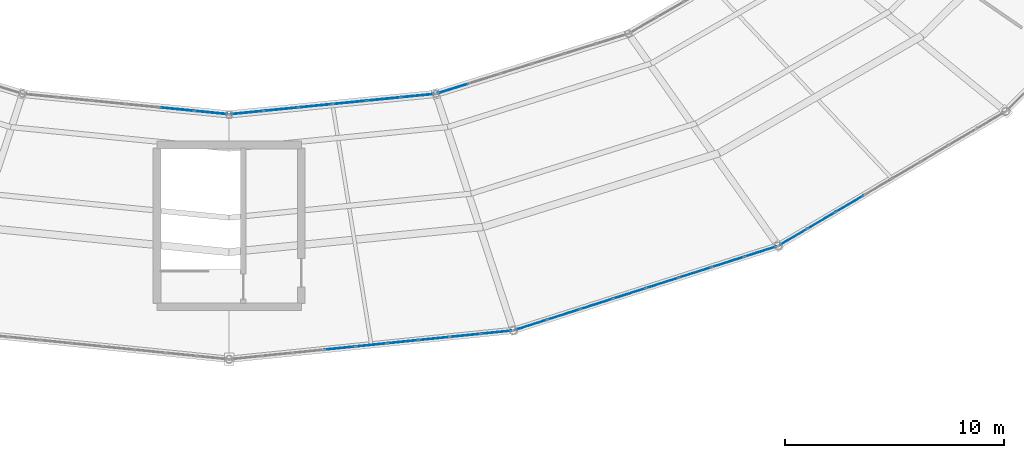
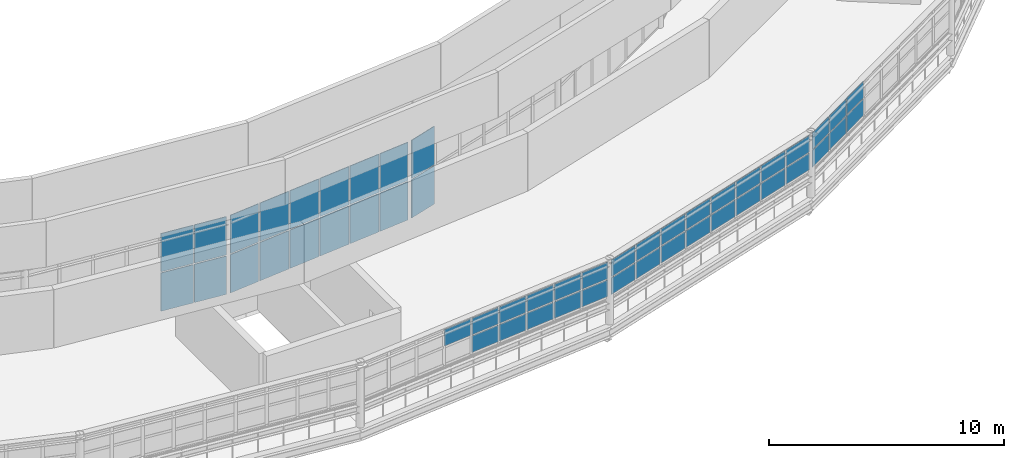
# One storey, part 78 of 123: 51 plates, 6 elements without a shape of their own.
"""IFC4 building model written with IfcOpenShell, lengths in metres."""

from ifc_helpers import new_model, si_unit, direction, frame, origin, origin_2d, place, context, subcontext, project, spatial, rectangle, extrude, material, layer, layer_set, type_object, element, aggregate, save


model = new_model("IFC4")

# Units and contexts
model_context = context("Model", 3, precision=1e-05, world=origin(), true_north=direction((0.0, 1.0)))
body_context = subcontext(model_context, "Body", "Model", "MODEL_VIEW")
ifc_project = project(units=[si_unit("LENGTHUNIT", "METRE"), si_unit("AREAUNIT", "SQUARE_METRE"), si_unit("VOLUMEUNIT", "CUBIC_METRE"), si_unit("PLANEANGLEUNIT", "RADIAN"), si_unit("MASSUNIT", "GRAM", prefix="KILO")], contexts=[model_context])

# Site, building, storey
site_placement = place(None, origin())
site = spatial("IfcSite", under=ifc_project, at=site_placement, CompositionType="ELEMENT")
building_placement = place(site_placement, origin())
building = spatial("IfcBuilding", under=site, at=building_placement, Name="Kildeholm Park Wholesale Market", CompositionType="ELEMENT")
storey_placement = place(building_placement, frame((0.0, 0.0, 9.60009765625)))
storey = spatial("IfcBuildingStorey", under=building, at=storey_placement, Name="L02", CompositionType="ELEMENT", Elevation=9.60009765625)

# Curtain wall, plates
ifc_material_1 = material(Name="Anodised aluminium and low-E double-glazed glass", Category="aluminium")
curtain_wall_type = type_object("IfcCurtainWallType", Name="Clerestory daylight stick curtain wall CW-02", PredefinedType="NOTDEFINED", material=ifc_material_1)
curtain_wall_1_placement = place(storey_placement, origin())
curtain_wall_1 = element("IfcCurtainWall", 1, at=curtain_wall_1_placement, inside=storey, type_object=curtain_wall_type, Name="Curtain wall CW-V1-IN2-17 CW-0088", PredefinedType="NOTDEFINED")
ifc_material_2 = material(Name="Triple-glazed solar-control glass", Category="glass")
ifc_layer_1 = layer(ifc_material_2, 0.035888671875)
ifc_layer_set_1 = layer_set([ifc_layer_1], Name="Triple-glazed solar-control glass")
plate_type_1 = type_object("IfcPlateType", Name="Curtain-wall panel CWP-2 36 mm", PredefinedType="CURTAIN_PANEL", material=ifc_layer_set_1)
plate_1_placement = place(storey_placement, frame((96.617919921875, 62.232177734375, 0.06005859375), z_axis=(0.0, 0.0, 1.0), x_axis=(0.995118887444, -0.098683331174, 0.0)))
plate_1 = element("IfcPlate", 2, at=plate_1_placement, type_object=plate_type_1, Name="CW-02 panel 5.1 PLT-1338", PredefinedType="CURTAIN_PANEL", context=body_context, shape_type="SweptSolid", body=[
    extrude(rectangle(XDim=1.509033203125, YDim=0.035888671875, at=origin_2d()), origin(), (0.0, 0.0, 1.0), 1.985107421875),
])
plate_2_placement = place(storey_placement, frame((96.617919921875, 62.232177734375, 2.10498046875), z_axis=(0.0, 0.0, 1.0), x_axis=(0.995118887444, -0.098683331174, 0.0)))
plate_2 = element("IfcPlate", 3, at=plate_2_placement, type_object=plate_type_1, Name="CW-02 panel 5.2 PLT-1339", PredefinedType="CURTAIN_PANEL", context=body_context, shape_type="SweptSolid", body=[
    extrude(rectangle(XDim=1.509033203125, YDim=0.035888671875, at=origin_2d()), origin(), (0.0, 0.0, 1.0), 1.985107421875),
])
plate_3_placement = place(storey_placement, frame((98.164306640625, 62.078857421875, 0.06005859375), z_axis=(0.0, 0.0, 1.0), x_axis=(0.995118887444, -0.098683331174, 0.0)))
plate_3 = element("IfcPlate", 4, at=plate_3_placement, type_object=plate_type_1, Name="CW-02 panel 6.1 PLT-1340", PredefinedType="CURTAIN_PANEL", context=body_context, shape_type="SweptSolid", body=[
    extrude(rectangle(XDim=1.47900390625, YDim=0.035888671875, at=origin_2d()), origin(), (0.0, 0.0, 1.0), 1.985107421875),
])
plate_4_placement = place(storey_placement, frame((98.164306640625, 62.078857421875, 2.10498046875), z_axis=(0.0, 0.0, 1.0), x_axis=(0.995118887444, -0.098683331174, 0.0)))
plate_4 = element("IfcPlate", 5, at=plate_4_placement, type_object=plate_type_1, Name="CW-02 panel 6.2 PLT-1341", PredefinedType="CURTAIN_PANEL", context=body_context, shape_type="SweptSolid", body=[
    extrude(rectangle(XDim=1.47900390625, YDim=0.035888671875, at=origin_2d()), origin(), (0.0, 0.0, 1.0), 1.985107421875),
])
aggregate(curtain_wall_1, [plate_1, plate_2, plate_3, plate_4])

curtain_wall_2_placement = place(storey_placement, origin())
curtain_wall_2 = element("IfcCurtainWall", 6, at=curtain_wall_2_placement, inside=storey, type_object=curtain_wall_type, Name="Curtain wall CW-V1-IN2-18 CW-0093", PredefinedType="NOTDEFINED")
plate_5_placement = place(storey_placement, frame((99.835693359375, 62.078857421875, 0.06005859375), z_axis=(0.0, 0.0, 1.0), x_axis=(0.995118887444, 0.098683331174, 0.0)))
plate_5 = element("IfcPlate", 7, at=plate_5_placement, type_object=plate_type_1, Name="CW-02 panel 1.1 PLT-1404", PredefinedType="CURTAIN_PANEL", context=body_context, shape_type="SweptSolid", body=[
    extrude(rectangle(XDim=1.47900390625, YDim=0.035888671875, at=origin_2d()), origin(), (0.0, 0.0, 1.0), 1.985107421875),
])
plate_6_placement = place(storey_placement, frame((99.835693359375, 62.078857421875, 2.10498046875), z_axis=(0.0, 0.0, 1.0), x_axis=(0.995118887444, 0.098683331174, 0.0)))
plate_6 = element("IfcPlate", 8, at=plate_6_placement, type_object=plate_type_1, Name="CW-02 panel 1.2 PLT-1405", PredefinedType="CURTAIN_PANEL", context=body_context, shape_type="SweptSolid", body=[
    extrude(rectangle(XDim=1.47900390625, YDim=0.035888671875, at=origin_2d()), origin(), (0.0, 0.0, 1.0), 1.985107421875),
])
plate_7_placement = place(storey_placement, frame((101.382080078125, 62.232177734375, 0.06005859375), z_axis=(0.0, 0.0, 1.0), x_axis=(0.995118887444, 0.098683331174, 0.0)))
plate_7 = element("IfcPlate", 9, at=plate_7_placement, type_object=plate_type_1, Name="CW-02 panel 2.1 PLT-1406", PredefinedType="CURTAIN_PANEL", context=body_context, shape_type="SweptSolid", body=[
    extrude(rectangle(XDim=1.509033203125, YDim=0.035888671875, at=origin_2d()), origin(), (0.0, 0.0, 1.0), 1.985107421875),
])
plate_8_placement = place(storey_placement, frame((101.382080078125, 62.232177734375, 2.10498046875), z_axis=(0.0, 0.0, 1.0), x_axis=(0.995118887444, 0.098683331174, 0.0)))
plate_8 = element("IfcPlate", 10, at=plate_8_placement, type_object=plate_type_1, Name="CW-02 panel 2.2 PLT-1407", PredefinedType="CURTAIN_PANEL", context=body_context, shape_type="SweptSolid", body=[
    extrude(rectangle(XDim=1.509033203125, YDim=0.035888671875, at=origin_2d()), origin(), (0.0, 0.0, 1.0), 1.985107421875),
])
plate_9_placement = place(storey_placement, frame((102.943359375, 62.386962890625, 0.06005859375), z_axis=(0.0, 0.0, 1.0), x_axis=(0.995118887444, 0.098683331174, 0.0)))
plate_9 = element("IfcPlate", 11, at=plate_9_placement, type_object=plate_type_1, Name="CW-02 panel 3.1 PLT-1408", PredefinedType="CURTAIN_PANEL", context=body_context, shape_type="SweptSolid", body=[
    extrude(rectangle(XDim=1.509033203125, YDim=0.035888671875, at=origin_2d()), origin(), (0.0, 0.0, 1.0), 1.985107421875),
])
plate_10_placement = place(storey_placement, frame((102.943359375, 62.386962890625, 2.10498046875), z_axis=(0.0, 0.0, 1.0), x_axis=(0.995118887444, 0.098683331174, 0.0)))
plate_10 = element("IfcPlate", 12, at=plate_10_placement, type_object=plate_type_1, Name="CW-02 panel 3.2 PLT-1409", PredefinedType="CURTAIN_PANEL", context=body_context, shape_type="SweptSolid", body=[
    extrude(rectangle(XDim=1.509033203125, YDim=0.035888671875, at=origin_2d()), origin(), (0.0, 0.0, 1.0), 1.985107421875),
])
plate_11_placement = place(storey_placement, frame((104.504638671875, 62.5419921875, 0.06005859375), z_axis=(0.0, 0.0, 1.0), x_axis=(0.995118887444, 0.098683331174, 0.0)))
plate_11 = element("IfcPlate", 13, at=plate_11_placement, type_object=plate_type_1, Name="CW-02 panel 4.1 PLT-1410", PredefinedType="CURTAIN_PANEL", context=body_context, shape_type="SweptSolid", body=[
    extrude(rectangle(XDim=1.509033203125, YDim=0.035888671875, at=origin_2d()), origin(), (0.0, 0.0, 1.0), 1.985107421875),
])
plate_12_placement = place(storey_placement, frame((104.504638671875, 62.5419921875, 2.10498046875), z_axis=(0.0, 0.0, 1.0), x_axis=(0.995118887444, 0.098683331174, 0.0)))
plate_12 = element("IfcPlate", 14, at=plate_12_placement, type_object=plate_type_1, Name="CW-02 panel 4.2 PLT-1411", PredefinedType="CURTAIN_PANEL", context=body_context, shape_type="SweptSolid", body=[
    extrude(rectangle(XDim=1.509033203125, YDim=0.035888671875, at=origin_2d()), origin(), (0.0, 0.0, 1.0), 1.985107421875),
])
plate_13_placement = place(storey_placement, frame((106.06591796875, 62.69677734375, 0.06005859375), z_axis=(0.0, 0.0, 1.0), x_axis=(0.995118887444, 0.098683331174, 0.0)))
plate_13 = element("IfcPlate", 15, at=plate_13_placement, type_object=plate_type_1, Name="CW-02 panel 5.1 PLT-1412", PredefinedType="CURTAIN_PANEL", context=body_context, shape_type="SweptSolid", body=[
    extrude(rectangle(XDim=1.509033203125, YDim=0.035888671875, at=origin_2d()), origin(), (0.0, 0.0, 1.0), 1.985107421875),
])
plate_14_placement = place(storey_placement, frame((106.06591796875, 62.69677734375, 2.10498046875), z_axis=(0.0, 0.0, 1.0), x_axis=(0.995118887444, 0.098683331174, 0.0)))
plate_14 = element("IfcPlate", 16, at=plate_14_placement, type_object=plate_type_1, Name="CW-02 panel 5.2 PLT-1413", PredefinedType="CURTAIN_PANEL", context=body_context, shape_type="SweptSolid", body=[
    extrude(rectangle(XDim=1.509033203125, YDim=0.035888671875, at=origin_2d()), origin(), (0.0, 0.0, 1.0), 1.985107421875),
])
plate_15_placement = place(storey_placement, frame((107.6123046875, 62.85009765625, 0.06005859375), z_axis=(0.0, 0.0, 1.0), x_axis=(0.995118887444, 0.098683331174, 0.0)))
plate_15 = element("IfcPlate", 17, at=plate_15_placement, type_object=plate_type_1, Name="CW-02 panel 6.1 PLT-1414", PredefinedType="CURTAIN_PANEL", context=body_context, shape_type="SweptSolid", body=[
    extrude(rectangle(XDim=1.47900390625, YDim=0.035888671875, at=origin_2d()), origin(), (0.0, 0.0, 1.0), 1.985107421875),
])
plate_16_placement = place(storey_placement, frame((107.6123046875, 62.85009765625, 2.10498046875), z_axis=(0.0, 0.0, 1.0), x_axis=(0.995118887444, 0.098683331174, 0.0)))
plate_16 = element("IfcPlate", 18, at=plate_16_placement, type_object=plate_type_1, Name="CW-02 panel 6.2 PLT-1415", PredefinedType="CURTAIN_PANEL", context=body_context, shape_type="SweptSolid", body=[
    extrude(rectangle(XDim=1.47900390625, YDim=0.035888671875, at=origin_2d()), origin(), (0.0, 0.0, 1.0), 1.985107421875),
])
aggregate(curtain_wall_2, [plate_5, plate_6, plate_7, plate_8, plate_9, plate_10, plate_11, plate_12, plate_13, plate_14, plate_15, plate_16])

curtain_wall_3_placement = place(storey_placement, origin())
curtain_wall_3 = element("IfcCurtainWall", 19, at=curtain_wall_3_placement, inside=storey, type_object=curtain_wall_type, Name="Curtain wall CW-V1-IN2-19 CW-0098", PredefinedType="NOTDEFINED")
plate_17_placement = place(storey_placement, frame((109.228515625, 63.176513671875, 0.06005859375), z_axis=(0.0, 0.0, 1.0), x_axis=(0.954579186683, 0.297957339818, 0.0)))
plate_17 = element("IfcPlate", 20, at=plate_17_placement, type_object=plate_type_1, Name="CW-02 panel 1.1 PLT-1476", PredefinedType="CURTAIN_PANEL", context=body_context, shape_type="SweptSolid", body=[
    extrude(rectangle(XDim=1.43359375, YDim=0.035888671875, at=origin_2d()), origin(), (0.0, 0.0, 1.0), 1.985107421875),
])
plate_18_placement = place(storey_placement, frame((109.228515625, 63.176513671875, 2.10498046875), z_axis=(0.0, 0.0, 1.0), x_axis=(0.954579186683, 0.297957339818, 0.0)))
plate_18 = element("IfcPlate", 21, at=plate_18_placement, type_object=plate_type_1, Name="CW-02 panel 1.2 PLT-1477", PredefinedType="CURTAIN_PANEL", context=body_context, shape_type="SweptSolid", body=[
    extrude(rectangle(XDim=1.43359375, YDim=0.035888671875, at=origin_2d()), origin(), (0.0, 0.0, 1.0), 1.985107421875),
])
aggregate(curtain_wall_3, [plate_17, plate_18])

curtain_wall_4_placement = place(storey_placement, origin())
curtain_wall_4 = element("IfcCurtainWall", 22, at=curtain_wall_4_placement, inside=storey, type_object=curtain_wall_type, Name="Curtain wall CW-V1-CL-18 CW-0090", PredefinedType="NOTDEFINED")
ifc_material_3 = material(Name="Fritted solar-control clerestory glass", Category="glass")
ifc_layer_2 = layer(ifc_material_3, 0.031982421875)
ifc_layer_set_2 = layer_set([ifc_layer_2], Name="Fritted solar-control clerestory glass")
plate_type_2 = type_object("IfcPlateType", Name="Curtain-wall panel CWP-4 32 mm", PredefinedType="CURTAIN_PANEL", material=ifc_layer_set_2)
plate_19_placement = place(storey_placement, frame((104.06201171875, 51.309814453125, 2.330078125), z_axis=(0.0, 0.0, 1.0), x_axis=(0.994886564926, 0.100998628351, 0.0)))
plate_19 = element("IfcPlate", 23, at=plate_19_placement, type_object=plate_type_2, Name="CW-02 panel 4.2 PLT-1369", PredefinedType="CURTAIN_PANEL", context=body_context, shape_type="SweptSolid", body=[
    extrude(rectangle(XDim=1.38232421875, YDim=0.031982421875, at=origin_2d()), origin(), (0.0, 0.0, 1.0), 0.860107421875),
])
plate_20_placement = place(storey_placement, frame((105.4970703125, 51.45556640625, 1.40966796875), z_axis=(0.0, 0.0, 1.0), x_axis=(0.994886564926, 0.100998628351, 0.0)))
plate_20 = element("IfcPlate", 24, at=plate_20_placement, type_object=plate_type_2, Name="CW-02 panel 5.1 PLT-1370", PredefinedType="CURTAIN_PANEL", context=body_context, shape_type="SweptSolid", body=[
    extrude(rectangle(XDim=1.38232421875, YDim=0.031982421875, at=origin_2d()), origin(), (0.0, 0.0, 1.0), 0.860107421875),
])
plate_21_placement = place(storey_placement, frame((105.4970703125, 51.45556640625, 2.330078125), z_axis=(0.0, 0.0, 1.0), x_axis=(0.994886564926, 0.100998628351, 0.0)))
plate_21 = element("IfcPlate", 25, at=plate_21_placement, type_object=plate_type_2, Name="CW-02 panel 5.2 PLT-1371", PredefinedType="CURTAIN_PANEL", context=body_context, shape_type="SweptSolid", body=[
    extrude(rectangle(XDim=1.38232421875, YDim=0.031982421875, at=origin_2d()), origin(), (0.0, 0.0, 1.0), 0.860107421875),
])
plate_22_placement = place(storey_placement, frame((106.931884765625, 51.60107421875, 1.40966796875), z_axis=(0.0, 0.0, 1.0), x_axis=(0.994886564926, 0.100998628351, 0.0)))
plate_22 = element("IfcPlate", 26, at=plate_22_placement, type_object=plate_type_2, Name="CW-02 panel 6.1 PLT-1372", PredefinedType="CURTAIN_PANEL", context=body_context, shape_type="SweptSolid", body=[
    extrude(rectangle(XDim=1.38232421875, YDim=0.031982421875, at=origin_2d()), origin(), (0.0, 0.0, 1.0), 0.860107421875),
])
plate_23_placement = place(storey_placement, frame((106.931884765625, 51.60107421875, 2.330078125), z_axis=(0.0, 0.0, 1.0), x_axis=(0.994886564926, 0.100998628351, 0.0)))
plate_23 = element("IfcPlate", 27, at=plate_23_placement, type_object=plate_type_2, Name="CW-02 panel 6.2 PLT-1373", PredefinedType="CURTAIN_PANEL", context=body_context, shape_type="SweptSolid", body=[
    extrude(rectangle(XDim=1.38232421875, YDim=0.031982421875, at=origin_2d()), origin(), (0.0, 0.0, 1.0), 0.860107421875),
])
plate_24_placement = place(storey_placement, frame((108.36669921875, 51.746826171875, 1.40966796875), z_axis=(0.0, 0.0, 1.0), x_axis=(0.994886564926, 0.100998628351, 0.0)))
plate_24 = element("IfcPlate", 28, at=plate_24_placement, type_object=plate_type_2, Name="CW-02 panel 7.1 PLT-1374", PredefinedType="CURTAIN_PANEL", context=body_context, shape_type="SweptSolid", body=[
    extrude(rectangle(XDim=1.38232421875, YDim=0.031982421875, at=origin_2d()), origin(), (0.0, 0.0, 1.0), 0.860107421875),
])
plate_25_placement = place(storey_placement, frame((108.36669921875, 51.746826171875, 2.330078125), z_axis=(0.0, 0.0, 1.0), x_axis=(0.994886564926, 0.100998628351, 0.0)))
plate_25 = element("IfcPlate", 29, at=plate_25_placement, type_object=plate_type_2, Name="CW-02 panel 7.2 PLT-1375", PredefinedType="CURTAIN_PANEL", context=body_context, shape_type="SweptSolid", body=[
    extrude(rectangle(XDim=1.38232421875, YDim=0.031982421875, at=origin_2d()), origin(), (0.0, 0.0, 1.0), 0.860107421875),
])
plate_26_placement = place(storey_placement, frame((109.8017578125, 51.892578125, 1.40966796875), z_axis=(0.0, 0.0, 1.0), x_axis=(0.994886564926, 0.100998628351, 0.0)))
plate_26 = element("IfcPlate", 30, at=plate_26_placement, type_object=plate_type_2, Name="CW-02 panel 8.1 PLT-1376", PredefinedType="CURTAIN_PANEL", context=body_context, shape_type="SweptSolid", body=[
    extrude(rectangle(XDim=1.38232421875, YDim=0.031982421875, at=origin_2d()), origin(), (0.0, 0.0, 1.0), 0.860107421875),
])
plate_27_placement = place(storey_placement, frame((109.8017578125, 51.892578125, 2.330078125), z_axis=(0.0, 0.0, 1.0), x_axis=(0.994886564926, 0.100998628351, 0.0)))
plate_27 = element("IfcPlate", 31, at=plate_27_placement, type_object=plate_type_2, Name="CW-02 panel 8.2 PLT-1377", PredefinedType="CURTAIN_PANEL", context=body_context, shape_type="SweptSolid", body=[
    extrude(rectangle(XDim=1.38232421875, YDim=0.031982421875, at=origin_2d()), origin(), (0.0, 0.0, 1.0), 0.860107421875),
])
plate_28_placement = place(storey_placement, frame((111.2216796875, 52.03662109375, 1.40966796875), z_axis=(0.0, 0.0, 1.0), x_axis=(0.994886564926, 0.100998628351, 0.0)))
plate_28 = element("IfcPlate", 32, at=plate_28_placement, type_object=plate_type_2, Name="CW-02 panel 9.1 PLT-1378", PredefinedType="CURTAIN_PANEL", context=body_context, shape_type="SweptSolid", body=[
    extrude(rectangle(XDim=1.352294921875, YDim=0.031982421875, at=origin_2d()), origin(), (0.0, 0.0, 1.0), 0.860107421875),
])
plate_29_placement = place(storey_placement, frame((111.2216796875, 52.03662109375, 2.330078125), z_axis=(0.0, 0.0, 1.0), x_axis=(0.994886564926, 0.100998628351, 0.0)))
plate_29 = element("IfcPlate", 33, at=plate_29_placement, type_object=plate_type_2, Name="CW-02 panel 9.2 PLT-1379", PredefinedType="CURTAIN_PANEL", context=body_context, shape_type="SweptSolid", body=[
    extrude(rectangle(XDim=1.352294921875, YDim=0.031982421875, at=origin_2d()), origin(), (0.0, 0.0, 1.0), 0.860107421875),
])
aggregate(curtain_wall_4, [plate_19, plate_20, plate_21, plate_22, plate_23, plate_24, plate_25, plate_26, plate_27, plate_28, plate_29])

curtain_wall_5_placement = place(storey_placement, origin())
curtain_wall_5 = element("IfcCurtainWall", 34, at=curtain_wall_5_placement, inside=storey, type_object=curtain_wall_type, Name="Curtain wall CW-V1-CL-19 CW-0095", PredefinedType="NOTDEFINED")
plate_30_placement = place(storey_placement, frame((112.79931640625, 52.37158203125, 1.40966796875), z_axis=(0.0, 0.0, 1.0), x_axis=(0.952606009241, 0.304206822997, 0.0)))
plate_30 = element("IfcPlate", 35, at=plate_30_placement, type_object=plate_type_2, Name="CW-02 panel 1.1 PLT-1436", PredefinedType="CURTAIN_PANEL", context=body_context, shape_type="SweptSolid", body=[
    extrude(rectangle(XDim=1.48876953125, YDim=0.031982421875, at=origin_2d()), origin(), (0.0, 0.0, 1.0), 0.860107421875),
])
plate_31_placement = place(storey_placement, frame((112.79931640625, 52.37158203125, 2.330078125), z_axis=(0.0, 0.0, 1.0), x_axis=(0.952606009241, 0.304206822997, 0.0)))
plate_31 = element("IfcPlate", 36, at=plate_31_placement, type_object=plate_type_2, Name="CW-02 panel 1.2 PLT-1437", PredefinedType="CURTAIN_PANEL", context=body_context, shape_type="SweptSolid", body=[
    extrude(rectangle(XDim=1.48876953125, YDim=0.031982421875, at=origin_2d()), origin(), (0.0, 0.0, 1.0), 0.860107421875),
])
plate_32_placement = place(storey_placement, frame((114.288818359375, 52.847412109375, 1.40966796875), z_axis=(0.0, 0.0, 1.0), x_axis=(0.952606009241, 0.304206822997, 0.0)))
plate_32 = element("IfcPlate", 37, at=plate_32_placement, type_object=plate_type_2, Name="CW-02 panel 2.1 PLT-1438", PredefinedType="CURTAIN_PANEL", context=body_context, shape_type="SweptSolid", body=[
    extrude(rectangle(XDim=1.518798828125, YDim=0.031982421875, at=origin_2d()), origin(), (0.0, 0.0, 1.0), 0.860107421875),
])
plate_33_placement = place(storey_placement, frame((114.288818359375, 52.847412109375, 2.330078125), z_axis=(0.0, 0.0, 1.0), x_axis=(0.952606009241, 0.304206822997, 0.0)))
plate_33 = element("IfcPlate", 38, at=plate_33_placement, type_object=plate_type_2, Name="CW-02 panel 2.2 PLT-1439", PredefinedType="CURTAIN_PANEL", context=body_context, shape_type="SweptSolid", body=[
    extrude(rectangle(XDim=1.518798828125, YDim=0.031982421875, at=origin_2d()), origin(), (0.0, 0.0, 1.0), 0.860107421875),
])
plate_34_placement = place(storey_placement, frame((115.792724609375, 53.32763671875, 1.40966796875), z_axis=(0.0, 0.0, 1.0), x_axis=(0.952606009241, 0.304206822997, 0.0)))
plate_34 = element("IfcPlate", 39, at=plate_34_placement, type_object=plate_type_2, Name="CW-02 panel 3.1 PLT-1440", PredefinedType="CURTAIN_PANEL", context=body_context, shape_type="SweptSolid", body=[
    extrude(rectangle(XDim=1.518798828125, YDim=0.031982421875, at=origin_2d()), origin(), (0.0, 0.0, 1.0), 0.860107421875),
])
plate_35_placement = place(storey_placement, frame((115.792724609375, 53.32763671875, 2.330078125), z_axis=(0.0, 0.0, 1.0), x_axis=(0.952606009241, 0.304206822997, 0.0)))
plate_35 = element("IfcPlate", 40, at=plate_35_placement, type_object=plate_type_2, Name="CW-02 panel 3.2 PLT-1441", PredefinedType="CURTAIN_PANEL", context=body_context, shape_type="SweptSolid", body=[
    extrude(rectangle(XDim=1.518798828125, YDim=0.031982421875, at=origin_2d()), origin(), (0.0, 0.0, 1.0), 0.860107421875),
])
plate_36_placement = place(storey_placement, frame((117.296630859375, 53.807861328125, 1.40966796875), z_axis=(0.0, 0.0, 1.0), x_axis=(0.952606009241, 0.304206822997, 0.0)))
plate_36 = element("IfcPlate", 41, at=plate_36_placement, type_object=plate_type_2, Name="CW-02 panel 4.1 PLT-1442", PredefinedType="CURTAIN_PANEL", context=body_context, shape_type="SweptSolid", body=[
    extrude(rectangle(XDim=1.518798828125, YDim=0.031982421875, at=origin_2d()), origin(), (0.0, 0.0, 1.0), 0.860107421875),
])
plate_37_placement = place(storey_placement, frame((117.296630859375, 53.807861328125, 2.330078125), z_axis=(0.0, 0.0, 1.0), x_axis=(0.952606009241, 0.304206822997, 0.0)))
plate_37 = element("IfcPlate", 42, at=plate_37_placement, type_object=plate_type_2, Name="CW-02 panel 4.2 PLT-1443", PredefinedType="CURTAIN_PANEL", context=body_context, shape_type="SweptSolid", body=[
    extrude(rectangle(XDim=1.518798828125, YDim=0.031982421875, at=origin_2d()), origin(), (0.0, 0.0, 1.0), 0.860107421875),
])
plate_38_placement = place(storey_placement, frame((118.800537109375, 54.2880859375, 1.40966796875), z_axis=(0.0, 0.0, 1.0), x_axis=(0.952606009241, 0.304206822997, 0.0)))
plate_38 = element("IfcPlate", 43, at=plate_38_placement, type_object=plate_type_2, Name="CW-02 panel 5.1 PLT-1444", PredefinedType="CURTAIN_PANEL", context=body_context, shape_type="SweptSolid", body=[
    extrude(rectangle(XDim=1.518798828125, YDim=0.031982421875, at=origin_2d()), origin(), (0.0, 0.0, 1.0), 0.860107421875),
])
plate_39_placement = place(storey_placement, frame((118.800537109375, 54.2880859375, 2.330078125), z_axis=(0.0, 0.0, 1.0), x_axis=(0.952606009241, 0.304206822997, 0.0)))
plate_39 = element("IfcPlate", 44, at=plate_39_placement, type_object=plate_type_2, Name="CW-02 panel 5.2 PLT-1445", PredefinedType="CURTAIN_PANEL", context=body_context, shape_type="SweptSolid", body=[
    extrude(rectangle(XDim=1.518798828125, YDim=0.031982421875, at=origin_2d()), origin(), (0.0, 0.0, 1.0), 0.860107421875),
])
plate_40_placement = place(storey_placement, frame((120.30419921875, 54.768310546875, 1.40966796875), z_axis=(0.0, 0.0, 1.0), x_axis=(0.952606009241, 0.304206822997, 0.0)))
plate_40 = element("IfcPlate", 45, at=plate_40_placement, type_object=plate_type_2, Name="CW-02 panel 6.1 PLT-1446", PredefinedType="CURTAIN_PANEL", context=body_context, shape_type="SweptSolid", body=[
    extrude(rectangle(XDim=1.518798828125, YDim=0.031982421875, at=origin_2d()), origin(), (0.0, 0.0, 1.0), 0.860107421875),
])
plate_41_placement = place(storey_placement, frame((120.30419921875, 54.768310546875, 2.330078125), z_axis=(0.0, 0.0, 1.0), x_axis=(0.952606009241, 0.304206822997, 0.0)))
plate_41 = element("IfcPlate", 46, at=plate_41_placement, type_object=plate_type_2, Name="CW-02 panel 6.2 PLT-1447", PredefinedType="CURTAIN_PANEL", context=body_context, shape_type="SweptSolid", body=[
    extrude(rectangle(XDim=1.518798828125, YDim=0.031982421875, at=origin_2d()), origin(), (0.0, 0.0, 1.0), 0.860107421875),
])
plate_42_placement = place(storey_placement, frame((121.80810546875, 55.24853515625, 1.40966796875), z_axis=(0.0, 0.0, 1.0), x_axis=(0.952606009241, 0.304206822997, 0.0)))
plate_42 = element("IfcPlate", 47, at=plate_42_placement, type_object=plate_type_2, Name="CW-02 panel 7.1 PLT-1448", PredefinedType="CURTAIN_PANEL", context=body_context, shape_type="SweptSolid", body=[
    extrude(rectangle(XDim=1.518798828125, YDim=0.031982421875, at=origin_2d()), origin(), (0.0, 0.0, 1.0), 0.860107421875),
])
plate_43_placement = place(storey_placement, frame((121.80810546875, 55.24853515625, 2.330078125), z_axis=(0.0, 0.0, 1.0), x_axis=(0.952606009241, 0.304206822997, 0.0)))
plate_43 = element("IfcPlate", 48, at=plate_43_placement, type_object=plate_type_2, Name="CW-02 panel 7.2 PLT-1449", PredefinedType="CURTAIN_PANEL", context=body_context, shape_type="SweptSolid", body=[
    extrude(rectangle(XDim=1.518798828125, YDim=0.031982421875, at=origin_2d()), origin(), (0.0, 0.0, 1.0), 0.860107421875),
])
plate_44_placement = place(storey_placement, frame((123.2978515625, 55.724365234375, 1.40966796875), z_axis=(0.0, 0.0, 1.0), x_axis=(0.952606009241, 0.304206822997, 0.0)))
plate_44 = element("IfcPlate", 49, at=plate_44_placement, type_object=plate_type_2, Name="CW-02 panel 8.1 PLT-1450", PredefinedType="CURTAIN_PANEL", context=body_context, shape_type="SweptSolid", body=[
    extrude(rectangle(XDim=1.48876953125, YDim=0.031982421875, at=origin_2d()), origin(), (0.0, 0.0, 1.0), 0.860107421875),
])
plate_45_placement = place(storey_placement, frame((123.2978515625, 55.724365234375, 2.330078125), z_axis=(0.0, 0.0, 1.0), x_axis=(0.952606009241, 0.304206822997, 0.0)))
plate_45 = element("IfcPlate", 50, at=plate_45_placement, type_object=plate_type_2, Name="CW-02 panel 8.2 PLT-1451", PredefinedType="CURTAIN_PANEL", context=body_context, shape_type="SweptSolid", body=[
    extrude(rectangle(XDim=1.48876953125, YDim=0.031982421875, at=origin_2d()), origin(), (0.0, 0.0, 1.0), 0.860107421875),
])
aggregate(curtain_wall_5, [plate_30, plate_31, plate_32, plate_33, plate_34, plate_35, plate_36, plate_37, plate_38, plate_39, plate_40, plate_41, plate_42, plate_43, plate_44, plate_45])

curtain_wall_6_placement = place(storey_placement, origin())
curtain_wall_6 = element("IfcCurtainWall", 51, at=curtain_wall_6_placement, inside=storey, type_object=curtain_wall_type, Name="Curtain wall CW-V1-CL-20 CW-0100", PredefinedType="NOTDEFINED")
plate_46_placement = place(storey_placement, frame((124.79638671875, 56.391357421875, 1.40966796875), z_axis=(0.0, 0.0, 1.0), x_axis=(0.860704129033, 0.509105492275, 0.0)))
plate_46 = element("IfcPlate", 52, at=plate_46_placement, type_object=plate_type_2, Name="CW-02 panel 1.1 PLT-1506", PredefinedType="CURTAIN_PANEL", context=body_context, shape_type="SweptSolid", body=[
    extrude(rectangle(XDim=1.409912109375, YDim=0.031982421875, at=origin_2d()), origin(), (0.0, 0.0, 1.0), 0.860107421875),
])
plate_47_placement = place(storey_placement, frame((124.79638671875, 56.391357421875, 2.330078125), z_axis=(0.0, 0.0, 1.0), x_axis=(0.860704129033, 0.509105492275, 0.0)))
plate_47 = element("IfcPlate", 53, at=plate_47_placement, type_object=plate_type_2, Name="CW-02 panel 1.2 PLT-1507", PredefinedType="CURTAIN_PANEL", context=body_context, shape_type="SweptSolid", body=[
    extrude(rectangle(XDim=1.409912109375, YDim=0.031982421875, at=origin_2d()), origin(), (0.0, 0.0, 1.0), 0.860107421875),
])
plate_48_placement = place(storey_placement, frame((126.074462890625, 57.1474609375, 1.40966796875), z_axis=(0.0, 0.0, 1.0), x_axis=(0.860704129033, 0.509105492275, 0.0)))
plate_48 = element("IfcPlate", 54, at=plate_48_placement, type_object=plate_type_2, Name="CW-02 panel 2.1 PLT-1508", PredefinedType="CURTAIN_PANEL", context=body_context, shape_type="SweptSolid", body=[
    extrude(rectangle(XDim=1.43994140625, YDim=0.031982421875, at=origin_2d()), origin(), (0.0, 0.0, 1.0), 0.860107421875),
])
plate_49_placement = place(storey_placement, frame((126.074462890625, 57.1474609375, 2.330078125), z_axis=(0.0, 0.0, 1.0), x_axis=(0.860704129033, 0.509105492275, 0.0)))
plate_49 = element("IfcPlate", 55, at=plate_49_placement, type_object=plate_type_2, Name="CW-02 panel 2.2 PLT-1509", PredefinedType="CURTAIN_PANEL", context=body_context, shape_type="SweptSolid", body=[
    extrude(rectangle(XDim=1.43994140625, YDim=0.031982421875, at=origin_2d()), origin(), (0.0, 0.0, 1.0), 0.860107421875),
])
plate_50_placement = place(storey_placement, frame((127.365478515625, 57.9111328125, 1.40966796875), z_axis=(0.0, 0.0, 1.0), x_axis=(0.860704129033, 0.509105492275, 0.0)))
plate_50 = element("IfcPlate", 56, at=plate_50_placement, type_object=plate_type_2, Name="CW-02 panel 3.1 PLT-1510", PredefinedType="CURTAIN_PANEL", context=body_context, shape_type="SweptSolid", body=[
    extrude(rectangle(XDim=1.43994140625, YDim=0.031982421875, at=origin_2d()), origin(), (0.0, 0.0, 1.0), 0.860107421875),
])
plate_51_placement = place(storey_placement, frame((127.365478515625, 57.9111328125, 2.330078125), z_axis=(0.0, 0.0, 1.0), x_axis=(0.860704129033, 0.509105492275, 0.0)))
plate_51 = element("IfcPlate", 57, at=plate_51_placement, type_object=plate_type_2, Name="CW-02 panel 3.2 PLT-1511", PredefinedType="CURTAIN_PANEL", context=body_context, shape_type="SweptSolid", body=[
    extrude(rectangle(XDim=1.43994140625, YDim=0.031982421875, at=origin_2d()), origin(), (0.0, 0.0, 1.0), 0.860107421875),
])
aggregate(curtain_wall_6, [plate_46, plate_47, plate_48, plate_49, plate_50, plate_51])

save(model, "model.ifc")
